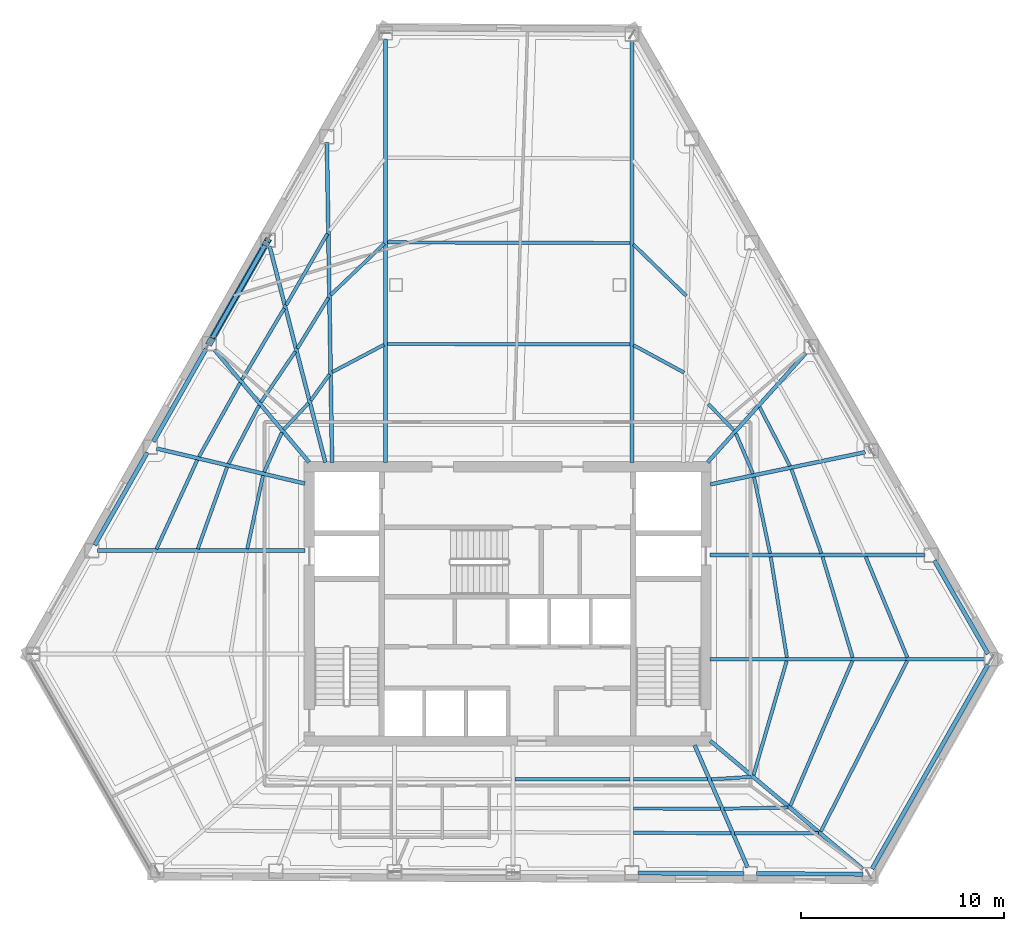
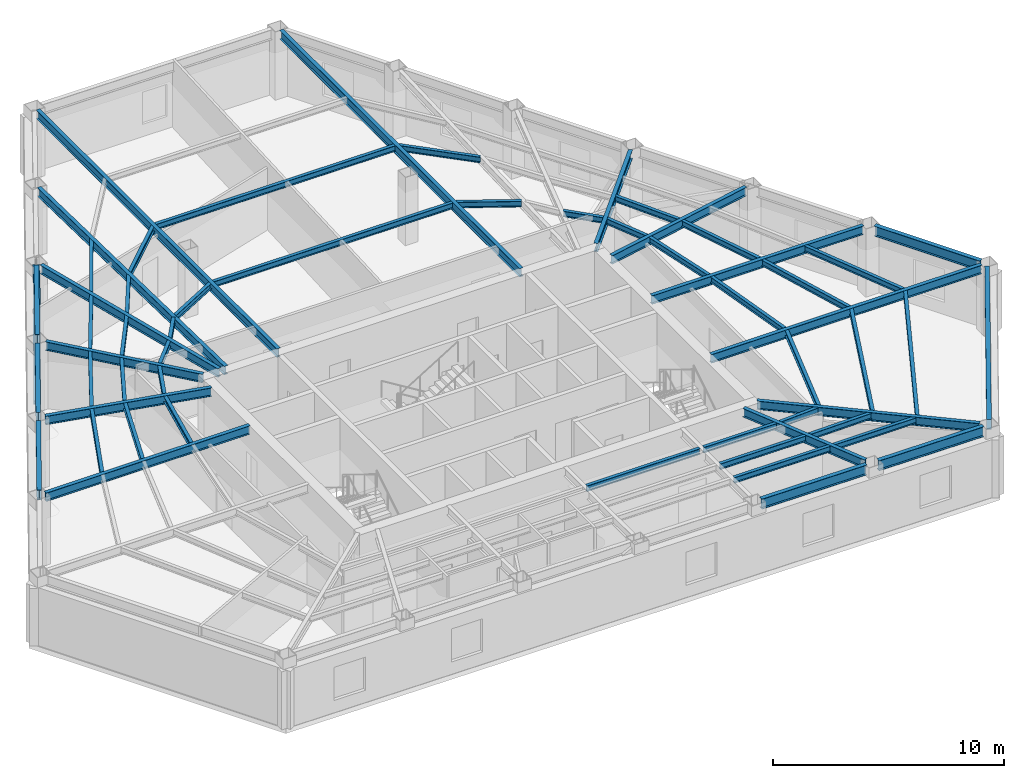
# One storey, part 3 of 13: 56 beams, 1 member.
"""IFC4 building model written with IfcOpenShell, lengths in metres."""

from ifc_helpers import new_model, si_unit, direction, frame, origin, origin_2d, place, context, subcontext, project, spatial, hollow_rectangle, i_section, extrude, material, material_profile, profile_set, type_object, element, save


model = new_model("IFC4")

# Units and contexts
model_context = context("Model", 3, precision=1e-05, world=origin(), true_north=direction((0.0, 1.0)))
body_context = subcontext(model_context, "Body", "Model", "MODEL_VIEW")
ifc_project = project(units=[si_unit("LENGTHUNIT", "METRE"), si_unit("AREAUNIT", "SQUARE_METRE"), si_unit("VOLUMEUNIT", "CUBIC_METRE"), si_unit("PLANEANGLEUNIT", "RADIAN"), si_unit("MASSUNIT", "GRAM", prefix="KILO")], contexts=[model_context])

# Site, building, storey
site_placement = place(None, origin())
site = spatial("IfcSite", under=ifc_project, at=site_placement, CompositionType="ELEMENT")
building_placement = place(site_placement, origin())
building = spatial("IfcBuilding", under=site, at=building_placement, Name="Kavelnor Concourse Tower", CompositionType="ELEMENT")
storey_placement = place(building_placement, frame((0.0, 0.0, 100.89990234375)))
storey = spatial("IfcBuildingStorey", under=building, at=storey_placement, Name="L25", CompositionType="ELEMENT", Elevation=100.89990234375)

# Beams
ifc_material = material(Name="Steel Grade 350", Category="steel")
ifc_material_profile_1 = material_profile(ifc_material, i_section(OverallWidth=0.166015625, OverallDepth=0.306884765625, WebThickness=0.006591796875, FlangeThickness=0.01171875, at=origin_2d()), Name="310UB46")
ifc_profile_set_1 = profile_set([ifc_material_profile_1], Name="Steel Grade 350")
beam_type_1 = type_object("IfcBeamType", Name="BM-JOIST-310", PredefinedType="JOIST", material=ifc_profile_set_1)
beam_1_placement = place(storey_placement, frame((38.36328125, 7.469970703125, 3.446533203125), z_axis=(0.999998925668, -0.001465831579, 0.0), x_axis=(0.001465831579, 0.999998925668, 0.0)))
element("IfcBeam", 1, at=beam_1_placement, inside=storey, type_object=beam_type_1, Name="L25 Secondary Composite Joist 05-1", PredefinedType="JOIST", context=body_context, shape_type="SweptSolid", body=[
    extrude(i_section(OverallWidth=0.166015625, OverallDepth=0.306884765625, WebThickness=0.006591796875, FlangeThickness=0.01171875, at=origin_2d()), origin(), (0.0, 0.0, 1.0), 5.662841796875),
])
beam_2_placement = place(storey_placement, frame((44.2041015625, 7.461181640625, 3.446533203125), z_axis=(0.999996770491, -0.002541457817, 0.0), x_axis=(0.002541457817, 0.999996770491, 0.0)))
element("IfcBeam", 2, at=beam_2_placement, inside=storey, type_object=beam_type_1, Name="L25 Secondary Composite Joist 06-1", PredefinedType="JOIST", context=body_context, shape_type="SweptSolid", body=[
    extrude(i_section(OverallWidth=0.166015625, OverallDepth=0.306884765625, WebThickness=0.006591796875, FlangeThickness=0.01171875, at=origin_2d()), origin(), (0.0, 0.0, 1.0), 3.650390625),
])
beam_3_placement = place(storey_placement, frame((44.2041015625, 6.0224609375, 3.446533203125), z_axis=(0.999993938815, -0.003481714056, 0.0), x_axis=(0.003481714056, 0.999993938815, 0.0)))
element("IfcBeam", 3, at=beam_3_placement, inside=storey, type_object=beam_type_1, Name="L25 Secondary Composite Joist 06-2", PredefinedType="JOIST", context=body_context, shape_type="SweptSolid", body=[
    extrude(i_section(OverallWidth=0.166015625, OverallDepth=0.306884765625, WebThickness=0.006591796875, FlangeThickness=0.01171875, at=origin_2d()), origin(), (0.0, 0.0, 1.0), 4.27734375),
])
beam_4_placement = place(storey_placement, frame((44.2041015625, 4.823486328125, 3.446533203125), z_axis=(0.999991721006, -0.004069142303, 0.0), x_axis=(0.004069142303, 0.999991721006, 0.0)))
element("IfcBeam", 4, at=beam_4_placement, inside=storey, type_object=beam_type_1, Name="L25 Secondary Composite Joist 06-3", PredefinedType="JOIST", context=body_context, shape_type="SweptSolid", body=[
    extrude(i_section(OverallWidth=0.166015625, OverallDepth=0.306884765625, WebThickness=0.006591796875, FlangeThickness=0.01171875, at=origin_2d()), origin(), (0.0, 0.0, 1.0), 4.7998046875),
])
beam_5_placement = place(storey_placement, frame((48.0322265625, 7.45703125, 3.446533203125), z_axis=(0.998104270478, 0.061545635537, 0.0), x_axis=(-0.061545635537, 0.998104270478, 0.0)))
element("IfcBeam", 5, at=beam_5_placement, inside=storey, type_object=beam_type_1, Name="L25 Secondary Composite Joist 07-1", PredefinedType="JOIST", context=body_context, shape_type="SweptSolid", body=[
    extrude(i_section(OverallWidth=0.166015625, OverallDepth=0.306884765625, WebThickness=0.006591796875, FlangeThickness=0.01171875, at=origin_2d()), origin(), (0.0, 0.0, 1.0), 1.971435546875),
])
beam_6_placement = place(storey_placement, frame((48.659423828125, 6.0087890625, 3.446533203125), z_axis=(0.999815656937, 0.019200316223, 0.0), x_axis=(-0.019200316223, 0.999815656937, 0.0)))
element("IfcBeam", 6, at=beam_6_placement, inside=storey, type_object=beam_type_1, Name="L25 Secondary Composite Joist 07-2", PredefinedType="JOIST", context=body_context, shape_type="SweptSolid", body=[
    extrude(i_section(OverallWidth=0.166015625, OverallDepth=0.306884765625, WebThickness=0.006591796875, FlangeThickness=0.01171875, at=origin_2d()), origin(), (0.0, 0.0, 1.0), 3.140625),
])
beam_7_placement = place(storey_placement, frame((49.181884765625, 4.8037109375, 3.446533203125), z_axis=(0.999998901306, 0.001482358288, 0.0), x_axis=(-0.001482358288, 0.999998901306, 0.0)))
element("IfcBeam", 7, at=beam_7_placement, inside=storey, type_object=beam_type_1, Name="L25 Secondary Composite Joist 07-3", PredefinedType="JOIST", context=body_context, shape_type="SweptSolid", body=[
    extrude(i_section(OverallWidth=0.166015625, OverallDepth=0.306884765625, WebThickness=0.006591796875, FlangeThickness=0.01171875, at=origin_2d()), origin(), (0.0, 0.0, 1.0), 4.117431640625),
])
beam_8_placement = place(storey_placement, frame((50.11376953125, 7.669189453125, 3.446533203125), z_axis=(0.278659955964, 0.960389831757, 0.0), x_axis=(-0.960389831757, 0.278659955964, 0.0)))
element("IfcBeam", 8, at=beam_8_placement, inside=storey, type_object=beam_type_1, Name="L25 Secondary Composite Joist 08-1", PredefinedType="JOIST", context=body_context, shape_type="SweptSolid", body=[
    extrude(i_section(OverallWidth=0.166015625, OverallDepth=0.306884765625, WebThickness=0.006591796875, FlangeThickness=0.01171875, at=origin_2d()), origin(), (0.0, 0.0, 1.0), 5.849853515625),
])
beam_9_placement = place(storey_placement, frame((51.923583984375, 6.152587890625, 3.446533203125), z_axis=(0.393706805824, 0.919236069271, 0.0), x_axis=(-0.919236069271, 0.393706805824, 0.0)))
element("IfcBeam", 9, at=beam_9_placement, inside=storey, type_object=beam_type_1, Name="L25 Secondary Composite Joist 08-2", PredefinedType="JOIST", context=body_context, shape_type="SweptSolid", body=[
    extrude(i_section(OverallWidth=0.166015625, OverallDepth=0.306884765625, WebThickness=0.006591796875, FlangeThickness=0.01171875, at=origin_2d()), origin(), (0.0, 0.0, 1.0), 7.765625),
])
beam_10_placement = place(storey_placement, frame((53.428466796875, 4.889404296875, 3.446533203125), z_axis=(0.451573149017, 0.892234101056, 0.0), x_axis=(-0.892234101056, 0.451573149017, 0.0)))
element("IfcBeam", 10, at=beam_10_placement, inside=storey, type_object=beam_type_1, Name="L25 Secondary Composite Joist 08-3", PredefinedType="JOIST", context=body_context, shape_type="SweptSolid", body=[
    extrude(i_section(OverallWidth=0.166015625, OverallDepth=0.306884765625, WebThickness=0.006591796875, FlangeThickness=0.01171875, at=origin_2d()), origin(), (0.0, 0.0, 1.0), 9.419189453125),
])
beam_11_placement = place(storey_placement, frame((51.75439453125, 13.460693359375, 3.446533203125), z_axis=(-0.158863640224, 0.987300533685, 0.0), x_axis=(-0.987300533685, -0.158863640224, 0.0)))
element("IfcBeam", 11, at=beam_11_placement, inside=storey, type_object=beam_type_1, Name="L25 Secondary Composite Joist 09-1", PredefinedType="JOIST", context=body_context, shape_type="SweptSolid", body=[
    extrude(i_section(OverallWidth=0.166015625, OverallDepth=0.306884765625, WebThickness=0.006591796875, FlangeThickness=0.01171875, at=origin_2d()), origin(), (0.0, 0.0, 1.0), 5.01611328125),
])
beam_12_placement = place(storey_placement, frame((54.990478515625, 13.4580078125, 3.446533203125), z_axis=(-0.286404075349, 0.958108921587, 0.0), x_axis=(-0.958108921587, -0.286404075349, 0.0)))
element("IfcBeam", 12, at=beam_12_placement, inside=storey, type_object=beam_type_1, Name="L25 Secondary Composite Joist 09-2", PredefinedType="JOIST", context=body_context, shape_type="SweptSolid", body=[
    extrude(i_section(OverallWidth=0.166015625, OverallDepth=0.306884765625, WebThickness=0.006591796875, FlangeThickness=0.01171875, at=origin_2d()), origin(), (0.0, 0.0, 1.0), 5.17431640625),
])
beam_13_placement = place(storey_placement, frame((57.68798828125, 13.455078125, 3.446533203125), z_axis=(-0.382397286143, 0.923998006248, 0.0), x_axis=(-0.923998006248, -0.382397286143, 0.0)))
element("IfcBeam", 13, at=beam_13_placement, inside=storey, type_object=beam_type_1, Name="L25 Secondary Composite Joist 09-3", PredefinedType="JOIST", context=body_context, shape_type="SweptSolid", body=[
    extrude(i_section(OverallWidth=0.166015625, OverallDepth=0.306884765625, WebThickness=0.006591796875, FlangeThickness=0.01171875, at=origin_2d()), origin(), (0.0, 0.0, 1.0), 5.371826171875),
])
beam_14_placement = place(storey_placement, frame((50.9248046875, 18.587890625, 3.446533203125), z_axis=(-0.205673405393, 0.978620687659, 0.0), x_axis=(-0.978620687659, -0.205673405393, 0.0)))
element("IfcBeam", 14, at=beam_14_placement, inside=storey, type_object=beam_type_1, Name="L25 Secondary Composite Joist 10-1", PredefinedType="JOIST", context=body_context, shape_type="SweptSolid", body=[
    extrude(i_section(OverallWidth=0.166015625, OverallDepth=0.306884765625, WebThickness=0.006591796875, FlangeThickness=0.01171875, at=origin_2d()), origin(), (0.0, 0.0, 1.0), 3.8330078125),
])
beam_15_placement = place(storey_placement, frame((53.453369140625, 18.584716796875, 3.446533203125), z_axis=(-0.335455943396, 0.942055895391, 0.0), x_axis=(-0.942055895391, -0.335455943396, 0.0)))
element("IfcBeam", 15, at=beam_15_placement, inside=storey, type_object=beam_type_1, Name="L25 Secondary Composite Joist 10-2", PredefinedType="JOIST", context=body_context, shape_type="SweptSolid", body=[
    extrude(i_section(OverallWidth=0.166015625, OverallDepth=0.306884765625, WebThickness=0.006591796875, FlangeThickness=0.01171875, at=origin_2d()), origin(), (0.0, 0.0, 1.0), 4.39208984375),
])
beam_16_placement = place(storey_placement, frame((50.08349609375, 22.5078125, 3.446533203125), z_axis=(-0.390433592157, 0.92063109339, 0.0), x_axis=(-0.92063109339, -0.390433592157, 0.0)))
element("IfcBeam", 16, at=beam_16_placement, inside=storey, type_object=beam_type_1, Name="L25 Secondary Composite Joist 11-1", PredefinedType="JOIST", context=body_context, shape_type="SweptSolid", body=[
    extrude(i_section(OverallWidth=0.166015625, OverallDepth=0.306884765625, WebThickness=0.006591796875, FlangeThickness=0.01171875, at=origin_2d()), origin(), (0.0, 0.0, 1.0), 2.1572265625),
])
beam_17_placement = place(storey_placement, frame((51.9091796875, 22.88525390625, 3.446533203125), z_axis=(-0.45948593653, 0.888185044983, 0.0), x_axis=(-0.888185044983, -0.45948593653, 0.0)))
element("IfcBeam", 17, at=beam_17_placement, inside=storey, type_object=beam_type_1, Name="L25 Secondary Composite Joist 11-2", PredefinedType="JOIST", context=body_context, shape_type="SweptSolid", body=[
    extrude(i_section(OverallWidth=0.166015625, OverallDepth=0.306884765625, WebThickness=0.006591796875, FlangeThickness=0.01171875, at=origin_2d()), origin(), (0.0, 0.0, 1.0), 3.26708984375),
])
beam_18_placement = place(storey_placement, frame((49.14453125, 24.6396484375, 3.446533203125), z_axis=(-0.695096300528, 0.718916638417, 0.0), x_axis=(-0.718916638417, -0.695096300528, 0.0)))
element("IfcBeam", 18, at=beam_18_placement, inside=storey, type_object=beam_type_1, Name="L25 Secondary Composite Joist 12-1", PredefinedType="JOIST", context=body_context, shape_type="SweptSolid", body=[
    extrude(i_section(OverallWidth=0.166015625, OverallDepth=0.306884765625, WebThickness=0.006591796875, FlangeThickness=0.01171875, at=origin_2d()), origin(), (0.0, 0.0, 1.0), 1.814208984375),
])
beam_19_placement = place(storey_placement, frame((46.69140625, 27.4853515625, 3.446533203125), z_axis=(-0.878947364691, 0.476918787744, 0.0), x_axis=(-0.476918787744, -0.878947364691, 0.0)))
element("IfcBeam", 19, at=beam_19_placement, inside=storey, type_object=beam_type_1, Name="L25 Secondary Composite Joist 14-1", PredefinedType="JOIST", context=body_context, shape_type="SweptSolid", body=[
    extrude(i_section(OverallWidth=0.166015625, OverallDepth=0.306884765625, WebThickness=0.006591796875, FlangeThickness=0.01171875, at=origin_2d()), origin(), (0.0, 0.0, 1.0), 2.8330078125),
])
beam_20_placement = place(storey_placement, frame((46.8037109375, 31.26171875, 3.446533203125), z_axis=(-0.717171401235, 0.696896822529, 0.0), x_axis=(-0.696896822529, -0.717171401235, 0.0)))
element("IfcBeam", 20, at=beam_20_placement, inside=storey, type_object=beam_type_1, Name="L25 Secondary Composite Joist 14-2", PredefinedType="JOIST", context=body_context, shape_type="SweptSolid", body=[
    extrude(i_section(OverallWidth=0.166015625, OverallDepth=0.306884765625, WebThickness=0.006591796875, FlangeThickness=0.01171875, at=origin_2d()), origin(), (0.0, 0.0, 1.0), 3.648681640625),
])
for number, where, z_axis, x_axis, name in (
    (21, (44.0341796875, 28.87890625, 3.446533203125), (-0.999998948729, 0.001450013793, 0.0), (-0.001450013793, -0.999998948729, 0.0), "L25 Secondary Composite Joist 15-1"),
    (22, (44.0341796875, 33.86669921875, 3.446533203125), (-0.999996421189, 0.002675370799, 0.0), (-0.002675370799, -0.999996421189, 0.0), "L25 Secondary Composite Joist 15-2"),
):
    element("IfcBeam", number, at=place(storey_placement, frame(where, z_axis=z_axis, x_axis=x_axis)), inside=storey, type_object=beam_type_1, Name=name, PredefinedType="JOIST", context=body_context, shape_type="SweptSolid", body=[
        extrude(i_section(OverallWidth=0.166015625, OverallDepth=0.306884765625, WebThickness=0.006591796875, FlangeThickness=0.01171875, at=origin_2d()), origin(), (0.0, 0.0, 1.0), 11.954345703125),
    ])
beam_21_placement = place(storey_placement, frame((31.912109375, 28.85498046875, 3.446533203125), z_axis=(-0.884448894536, -0.466637067703, 0.0), x_axis=(0.466637067703, -0.884448894536, 0.0)))
element("IfcBeam", 23, at=beam_21_placement, inside=storey, type_object=beam_type_1, Name="L25 Secondary Composite Joist 16-1", PredefinedType="JOIST", context=body_context, shape_type="SweptSolid", body=[
    extrude(i_section(OverallWidth=0.166015625, OverallDepth=0.306884765625, WebThickness=0.006591796875, FlangeThickness=0.01171875, at=origin_2d()), origin(), (0.0, 0.0, 1.0), 2.880126953125),
])
beam_22_placement = place(storey_placement, frame((31.926513671875, 33.83740234375, 3.446533203125), z_axis=(-0.722148165539, -0.691738409378, 0.0), x_axis=(0.691738409378, -0.722148165539, 0.0)))
element("IfcBeam", 24, at=beam_22_placement, inside=storey, type_object=beam_type_1, Name="L25 Secondary Composite Joist 16-2", PredefinedType="JOIST", context=body_context, shape_type="SweptSolid", body=[
    extrude(i_section(OverallWidth=0.166015625, OverallDepth=0.306884765625, WebThickness=0.006591796875, FlangeThickness=0.01171875, at=origin_2d()), origin(), (0.0, 0.0, 1.0), 3.65283203125),
])
beam_23_placement = place(storey_placement, frame((29.23388671875, 27.397216796875, 3.446533203125), z_axis=(-0.58433322423, -0.811513821855, 0.0), x_axis=(0.811513821855, -0.58433322423, 0.0)))
element("IfcBeam", 25, at=beam_23_placement, inside=storey, type_object=beam_type_1, Name="L25 Secondary Composite Joist 17-1", PredefinedType="JOIST", context=body_context, shape_type="SweptSolid", body=[
    extrude(i_section(OverallWidth=0.166015625, OverallDepth=0.306884765625, WebThickness=0.006591796875, FlangeThickness=0.01171875, at=origin_2d()), origin(), (0.0, 0.0, 1.0), 1.579833984375),
])
beam_24_placement = place(storey_placement, frame((29.177734375, 31.173095703125, 3.446533203125), z_axis=(-0.52281402565, -0.852446769355, 0.0), x_axis=(0.852446769355, -0.52281402565, 0.0)))
element("IfcBeam", 26, at=beam_24_placement, inside=storey, type_object=beam_type_1, Name="L25 Secondary Composite Joist 17-2", PredefinedType="JOIST", context=body_context, shape_type="SweptSolid", body=[
    extrude(i_section(OverallWidth=0.166015625, OverallDepth=0.306884765625, WebThickness=0.006591796875, FlangeThickness=0.01171875, at=origin_2d()), origin(), (0.0, 0.0, 1.0), 2.9306640625),
])
beam_25_placement = place(storey_placement, frame((29.12841796875, 34.321533203125, 3.446533203125), z_axis=(-0.500882269219, -0.865515425849, 0.0), x_axis=(0.865515425849, -0.500882269219, 0.0)))
element("IfcBeam", 27, at=beam_25_placement, inside=storey, type_object=beam_type_1, Name="L25 Secondary Composite Joist 17-3", PredefinedType="JOIST", context=body_context, shape_type="SweptSolid", body=[
    extrude(i_section(OverallWidth=0.166015625, OverallDepth=0.306884765625, WebThickness=0.006591796875, FlangeThickness=0.01171875, at=origin_2d()), origin(), (0.0, 0.0, 1.0), 4.062255859375),
])
beam_26_placement = place(storey_placement, frame((28.197998046875, 25.978271484375, 3.446533203125), z_axis=(-0.6843941142, -0.729112266012, 0.0), x_axis=(0.729112266012, -0.6843941142, 0.0)))
element("IfcBeam", 28, at=beam_26_placement, inside=storey, type_object=beam_type_1, Name="L25 Secondary Composite Joist 18-1", PredefinedType="JOIST", context=body_context, shape_type="SweptSolid", body=[
    extrude(i_section(OverallWidth=0.166015625, OverallDepth=0.306884765625, WebThickness=0.006591796875, FlangeThickness=0.01171875, at=origin_2d()), origin(), (0.0, 0.0, 1.0), 1.7744140625),
])
beam_27_placement = place(storey_placement, frame((27.54931640625, 28.525146484375, 3.446533203125), z_axis=(-0.560742779062, -0.827990057748, 0.0), x_axis=(0.827990057748, -0.560742779062, 0.0)))
element("IfcBeam", 29, at=beam_27_placement, inside=storey, type_object=beam_type_1, Name="L25 Secondary Composite Joist 18-2", PredefinedType="JOIST", context=body_context, shape_type="SweptSolid", body=[
    extrude(i_section(OverallWidth=0.166015625, OverallDepth=0.306884765625, WebThickness=0.006591796875, FlangeThickness=0.01171875, at=origin_2d()), origin(), (0.0, 0.0, 1.0), 3.02294921875),
])
beam_28_placement = place(storey_placement, frame((27.00390625, 30.652099609375, 3.446533203125), z_axis=(-0.509872719421, -0.860249853235, 0.0), x_axis=(0.860249853235, -0.509872719421, 0.0)))
element("IfcBeam", 30, at=beam_28_placement, inside=storey, type_object=beam_type_1, Name="L25 Secondary Composite Joist 18-3", PredefinedType="JOIST", context=body_context, shape_type="SweptSolid", body=[
    extrude(i_section(OverallWidth=0.166015625, OverallDepth=0.306884765625, WebThickness=0.006591796875, FlangeThickness=0.01171875, at=origin_2d()), origin(), (0.0, 0.0, 1.0), 4.091552734375),
])
beam_29_placement = place(storey_placement, frame((26.88623046875, 24.53857421875, 3.446533203125), z_axis=(-0.409448949059, -0.912333030266, 0.0), x_axis=(0.912333030266, -0.409448949059, 0.0)))
element("IfcBeam", 31, at=beam_29_placement, inside=storey, type_object=beam_type_1, Name="L25 Secondary Composite Joist 19-1", PredefinedType="JOIST", context=body_context, shape_type="SweptSolid", body=[
    extrude(i_section(OverallWidth=0.166015625, OverallDepth=0.306884765625, WebThickness=0.006591796875, FlangeThickness=0.01171875, at=origin_2d()), origin(), (0.0, 0.0, 1.0), 2.139892578125),
])
beam_30_placement = place(storey_placement, frame((25.76318359375, 25.86962890625, 3.446533203125), z_axis=(-0.463443828388, -0.886126299085, 0.0), x_axis=(0.886126299085, -0.463443828388, 0.0)))
element("IfcBeam", 32, at=beam_30_placement, inside=storey, type_object=beam_type_1, Name="L25 Secondary Composite Joist 19-2", PredefinedType="JOIST", context=body_context, shape_type="SweptSolid", body=[
    extrude(i_section(OverallWidth=0.166015625, OverallDepth=0.306884765625, WebThickness=0.006591796875, FlangeThickness=0.01171875, at=origin_2d()), origin(), (0.0, 0.0, 1.0), 3.240234375),
])
beam_31_placement = place(storey_placement, frame((24.8291015625, 26.97802734375, 3.446533203125), z_axis=(-0.48688246548, -0.873467494992, 0.0), x_axis=(0.873467494992, -0.48688246548, 0.0)))
element("IfcBeam", 33, at=beam_31_placement, inside=storey, type_object=beam_type_1, Name="L25 Secondary Composite Joist 19-3", PredefinedType="JOIST", context=body_context, shape_type="SweptSolid", body=[
    extrude(i_section(OverallWidth=0.166015625, OverallDepth=0.306884765625, WebThickness=0.006591796875, FlangeThickness=0.01171875, at=origin_2d()), origin(), (0.0, 0.0, 1.0), 4.162353515625),
])
beam_32_placement = place(storey_placement, frame((25.954833984375, 22.41796875, 3.446533203125), z_axis=(-0.209407088288, -0.977828549069, 0.0), x_axis=(0.977828549069, -0.209407088288, 0.0)))
element("IfcBeam", 34, at=beam_32_placement, inside=storey, type_object=beam_type_1, Name="L25 Secondary Composite Joist 20-1", PredefinedType="JOIST", context=body_context, shape_type="SweptSolid", body=[
    extrude(i_section(OverallWidth=0.166015625, OverallDepth=0.306884765625, WebThickness=0.006591796875, FlangeThickness=0.01171875, at=origin_2d()), origin(), (0.0, 0.0, 1.0), 3.68994140625),
])
beam_33_placement = place(storey_placement, frame((24.190185546875, 22.835693359375, 3.446533203125), z_axis=(-0.337586210639, -0.941294614022, 0.0), x_axis=(0.941294614022, -0.337586210639, 0.0)))
element("IfcBeam", 35, at=beam_33_placement, inside=storey, type_object=beam_type_1, Name="L25 Secondary Composite Joist 20-2", PredefinedType="JOIST", context=body_context, shape_type="SweptSolid", body=[
    extrude(i_section(OverallWidth=0.166015625, OverallDepth=0.306884765625, WebThickness=0.006591796875, FlangeThickness=0.01171875, at=origin_2d()), origin(), (0.0, 0.0, 1.0), 4.280517578125),
])
beam_34_placement = place(storey_placement, frame((22.721923828125, 23.18359375, 3.446533203125), z_axis=(-0.417136105689, -0.908844029155, 0.0), x_axis=(0.908844029155, -0.417136105689, 0.0)))
element("IfcBeam", 36, at=beam_34_placement, inside=storey, type_object=beam_type_1, Name="L25 Secondary Composite Joist 20-3", PredefinedType="JOIST", context=body_context, shape_type="SweptSolid", body=[
    extrude(i_section(OverallWidth=0.166015625, OverallDepth=0.306884765625, WebThickness=0.006591796875, FlangeThickness=0.01171875, at=origin_2d()), origin(), (0.0, 0.0, 1.0), 4.819091796875),
])
ifc_material_profile_2 = material_profile(ifc_material, i_section(OverallWidth=0.18994140625, OverallDepth=0.4541015625, WebThickness=0.008544921875, FlangeThickness=0.0126953125, at=origin_2d()), Name="460UB67")
ifc_profile_set_2 = profile_set([ifc_material_profile_2], Name="Steel Grade 350")
beam_type_2 = type_object("IfcBeamType", Name="BM-PRIMARY-460", PredefinedType="BEAM", material=ifc_profile_set_2)
beam_35_placement = place(storey_placement, frame((31.99072265625, 23.06005859375, 3.373046875), z_axis=(0.0, 1.0, 0.0), x_axis=(-1.0, 0.0, 0.0)))
element("IfcBeam", 37, at=beam_35_placement, inside=storey, type_object=beam_type_2, Name="L25 Primary Floor Girder F0-B0", PredefinedType="BEAM", context=body_context, shape_type="SweptSolid", body=[
    extrude(i_section(OverallWidth=0.18994140625, OverallDepth=0.4541015625, WebThickness=0.008544921875, FlangeThickness=0.0126953125, at=origin_2d()), origin(), (0.0, 0.0, 1.0), 20.84423828125),
])
beam_36_placement = place(storey_placement, frame((29.35791015625, 23.06005859375, 3.373046875), z_axis=(-0.016291400811, 0.999867286323, 0.0), x_axis=(-0.999867286323, -0.016291400811, 0.0)))
element("IfcBeam", 38, at=beam_36_placement, inside=storey, type_object=beam_type_2, Name="L25 Primary Floor Girder F0-B1", PredefinedType="BEAM", context=body_context, shape_type="SweptSolid", body=[
    extrude(i_section(OverallWidth=0.18994140625, OverallDepth=0.4541015625, WebThickness=0.008544921875, FlangeThickness=0.0126953125, at=origin_2d()), origin(), (0.0, 0.0, 1.0), 15.750244140625),
])
beam_37_placement = place(storey_placement, frame((29.028564453125, 23.061279296875, 3.373046875), z_axis=(-0.249950524872, 0.968258609627, 0.0), x_axis=(-0.968258609627, -0.249950524872, 0.0)))
element("IfcBeam", 39, at=beam_37_placement, inside=storey, type_object=beam_type_2, Name="L25 Primary Floor Girder F0-B2", PredefinedType="BEAM", context=body_context, shape_type="SweptSolid", body=[
    extrude(i_section(OverallWidth=0.18994140625, OverallDepth=0.4541015625, WebThickness=0.008544921875, FlangeThickness=0.0126953125, at=origin_2d()), origin(), (0.0, 0.0, 1.0), 10.998291015625),
])
beam_38_placement = place(storey_placement, frame((28.2275390625, 23.0693359375, 3.373046875), z_axis=(-0.643933138721, 0.765081768739, 0.0), x_axis=(-0.765081768739, -0.643933138721, 0.0)))
element("IfcBeam", 40, at=beam_38_placement, inside=storey, type_object=beam_type_2, Name="L25 Primary Floor Girder F0-B3", PredefinedType="BEAM", context=body_context, shape_type="SweptSolid", body=[
    extrude(i_section(OverallWidth=0.18994140625, OverallDepth=0.4541015625, WebThickness=0.008544921875, FlangeThickness=0.0126953125, at=origin_2d()), origin(), (0.0, 0.0, 1.0), 7.236572265625),
])
beam_39_placement = place(storey_placement, frame((28.018798828125, 22.021484375, 3.373046875), z_axis=(-0.973188054486, 0.230010892364, 0.0), x_axis=(-0.230010892364, -0.973188054486, 0.0)))
element("IfcBeam", 41, at=beam_39_placement, inside=storey, type_object=beam_type_2, Name="L25 Primary Floor Girder F0-B4", PredefinedType="BEAM", context=body_context, shape_type="SweptSolid", body=[
    extrude(i_section(OverallWidth=0.18994140625, OverallDepth=0.4541015625, WebThickness=0.008544921875, FlangeThickness=0.0126953125, at=origin_2d()), origin(), (0.0, 0.0, 1.0), 7.50634765625),
])
beam_40_placement = place(storey_placement, frame((28.02001953125, 18.72265625, 3.373046875), z_axis=(-1.0, 0.0, 0.0), x_axis=(0.0, -1.0, 0.0)))
element("IfcBeam", 42, at=beam_40_placement, inside=storey, type_object=beam_type_2, Name="L25 Primary Floor Girder F0-B5", PredefinedType="BEAM", context=body_context, shape_type="SweptSolid", body=[
    extrude(i_section(OverallWidth=0.18994140625, OverallDepth=0.4541015625, WebThickness=0.008544921875, FlangeThickness=0.0126953125, at=origin_2d()), origin(), (0.0, 0.0, 1.0), 10.201904296875),
])
beam_41_placement = place(storey_placement, frame((47.2119140625, 9.13671875, 3.373046875), z_axis=(0.398199465557, -0.917298852953, 0.0), x_axis=(0.917298852953, 0.398199465557, 0.0)))
element("IfcBeam", 43, at=beam_41_placement, inside=storey, type_object=beam_type_2, Name="L25 Primary Floor Girder F1-B5", PredefinedType="BEAM", context=body_context, shape_type="SweptSolid", body=[
    extrude(i_section(OverallWidth=0.18994140625, OverallDepth=0.4541015625, WebThickness=0.008544921875, FlangeThickness=0.0126953125, at=origin_2d()), origin(), (0.0, 0.0, 1.0), 6.560791015625),
])
beam_42_placement = place(storey_placement, frame((47.989501953125, 9.348876953125, 3.373046875), z_axis=(0.765433786045, -0.643514661201, 0.0), x_axis=(0.643514661201, 0.765433786045, 0.0)))
element("IfcBeam", 44, at=beam_42_placement, inside=storey, type_object=beam_type_2, Name="L25 Primary Floor Girder F1-B6", PredefinedType="BEAM", context=body_context, shape_type="SweptSolid", body=[
    extrude(i_section(OverallWidth=0.18994140625, OverallDepth=0.4541015625, WebThickness=0.008544921875, FlangeThickness=0.0126953125, at=origin_2d()), origin(), (0.0, 0.0, 1.0), 9.796142578125),
])
beam_43_placement = place(storey_placement, frame((47.97998046875, 13.372802734375, 3.373046875), z_axis=(1.0, 0.0, 0.0), x_axis=(0.0, 1.0, 0.0)))
element("IfcBeam", 45, at=beam_43_placement, inside=storey, type_object=beam_type_2, Name="L25 Primary Floor Girder F2-B0", PredefinedType="BEAM", context=body_context, shape_type="SweptSolid", body=[
    extrude(i_section(OverallWidth=0.18994140625, OverallDepth=0.4541015625, WebThickness=0.008544921875, FlangeThickness=0.0126953125, at=origin_2d()), origin(), (0.0, 0.0, 1.0), 13.53076171875),
])
beam_44_placement = place(storey_placement, frame((47.97998046875, 18.5009765625, 3.373046875), z_axis=(1.0, 0.0, 0.0), x_axis=(0.0, 1.0, 0.0)))
element("IfcBeam", 46, at=beam_44_placement, inside=storey, type_object=beam_type_2, Name="L25 Primary Floor Girder F2-B1", PredefinedType="BEAM", context=body_context, shape_type="SweptSolid", body=[
    extrude(i_section(OverallWidth=0.18994140625, OverallDepth=0.4541015625, WebThickness=0.008544921875, FlangeThickness=0.0126953125, at=origin_2d()), origin(), (0.0, 0.0, 1.0), 10.5830078125),
])
beam_45_placement = place(storey_placement, frame((47.980712890625, 21.982421875, 3.373046875), z_axis=(0.979136188722, 0.203205127726, 0.0), x_axis=(-0.203205127726, 0.979136188722, 0.0)))
element("IfcBeam", 47, at=beam_45_placement, inside=storey, type_object=beam_type_2, Name="L25 Primary Floor Girder F2-B2", PredefinedType="BEAM", context=body_context, shape_type="SweptSolid", body=[
    extrude(i_section(OverallWidth=0.18994140625, OverallDepth=0.4541015625, WebThickness=0.008544921875, FlangeThickness=0.0126953125, at=origin_2d()), origin(), (0.0, 0.0, 1.0), 7.796142578125),
])
beam_46_placement = place(storey_placement, frame((47.852294921875, 23.0703125, 3.373046875), z_axis=(0.668709151108, 0.743524089203, 0.0), x_axis=(-0.743524089203, 0.668709151108, 0.0)))
element("IfcBeam", 48, at=beam_46_placement, inside=storey, type_object=beam_type_2, Name="L25 Primary Floor Girder F2-B3", PredefinedType="BEAM", context=body_context, shape_type="SweptSolid", body=[
    extrude(i_section(OverallWidth=0.18994140625, OverallDepth=0.4541015625, WebThickness=0.008544921875, FlangeThickness=0.0126953125, at=origin_2d()), origin(), (0.0, 0.0, 1.0), 7.2314453125),
])
beam_47_placement = place(storey_placement, frame((44.123291015625, 23.06005859375, 3.373046875), z_axis=(0.0, 1.0, 0.0), x_axis=(-1.0, 0.0, 0.0)))
element("IfcBeam", 49, at=beam_47_placement, inside=storey, type_object=beam_type_2, Name="L25 Primary Floor Girder F2-B6", PredefinedType="BEAM", context=body_context, shape_type="SweptSolid", body=[
    extrude(i_section(OverallWidth=0.18994140625, OverallDepth=0.4541015625, WebThickness=0.008544921875, FlangeThickness=0.0126953125, at=origin_2d()), origin(), (0.0, 0.0, 1.0), 20.781494140625),
])
ifc_material_profile_3 = material_profile(ifc_material, i_section(OverallWidth=0.208984375, OverallDepth=0.532958984375, WebThickness=0.01025390625, FlangeThickness=0.015625, at=origin_2d()), Name="530UB92")
ifc_profile_set_3 = profile_set([ifc_material_profile_3], Name="Steel Grade 350")
beam_type_3 = type_object("IfcBeamType", Name="BM-SPANDREL-Z2", PredefinedType="SPANDREL", material=ifc_profile_set_3)
for number, where, z_axis, x_axis, name in (
    (50, (26.051025390625, 33.74658203125, 3.33349609375), (-0.493864017051, -0.869539149585, 0.0), (0.869539149585, -0.493864017051, 0.0), "L25 Perimeter Tube Spandrel Beam F0-B2"),
    (51, (23.156494140625, 28.650146484375, 3.33349609375), (-0.493864017051, -0.869539149585, 0.0), (0.869539149585, -0.493864017051, 0.0), "L25 Perimeter Tube Spandrel Beam F0-B3"),
):
    element("IfcBeam", number, at=place(storey_placement, frame(where, z_axis=z_axis, x_axis=x_axis)), inside=storey, type_object=beam_type_3, Name=name, PredefinedType="SPANDREL", context=body_context, shape_type="SweptSolid", body=[
        extrude(i_section(OverallWidth=0.208984375, OverallDepth=0.532958984375, WebThickness=0.01025390625, FlangeThickness=0.015625, at=origin_2d()), origin(), (0.0, 0.0, 1.0), 5.2509765625),
    ])
beam_48_placement = place(storey_placement, frame((20.261962890625, 23.553955078125, 3.33349609375), z_axis=(-0.493844051428, -0.869550488971, 0.0), x_axis=(0.869550488971, -0.493844051428, 0.0)))
element("IfcBeam", 52, at=beam_48_placement, inside=storey, type_object=beam_type_3, Name="L25 Perimeter Tube Spandrel Beam F0-B4", PredefinedType="SPANDREL", context=body_context, shape_type="SweptSolid", body=[
    extrude(i_section(OverallWidth=0.208984375, OverallDepth=0.532958984375, WebThickness=0.01025390625, FlangeThickness=0.015625, at=origin_2d()), origin(), (0.0, 0.0, 1.0), 5.251220703125),
])
for number, where, z_axis, x_axis, name in (
    (53, (44.420166015625, 2.843994140625, 3.33349609375), (0.99998658085, -0.005180552155, 0.0), (0.005180552155, 0.99998658085, 0.0), "L25 Perimeter Tube Spandrel Beam F1-B4"),
    (54, (50.26123046875, 2.813720703125, 3.33349609375), (0.99998658085, -0.005180552155, 0.0), (0.005180552155, 0.99998658085, 0.0), "L25 Perimeter Tube Spandrel Beam F1-B5"),
):
    element("IfcBeam", number, at=place(storey_placement, frame(where, z_axis=z_axis, x_axis=x_axis)), inside=storey, type_object=beam_type_3, Name=name, PredefinedType="SPANDREL", context=body_context, shape_type="SweptSolid", body=[
        extrude(i_section(OverallWidth=0.208984375, OverallDepth=0.532958984375, WebThickness=0.01025390625, FlangeThickness=0.015625, at=origin_2d()), origin(), (0.0, 0.0, 1.0), 5.23095703125),
    ])
beam_49_placement = place(storey_placement, frame((61.65869140625, 13.63720703125, 3.33349609375), z_axis=(-0.498352664623, 0.866974406579, 0.0), x_axis=(-0.866974406579, -0.498352664623, 0.0)))
element("IfcBeam", 55, at=beam_49_placement, inside=storey, type_object=beam_type_3, Name="L25 Perimeter Tube Spandrel Beam F2-B0", PredefinedType="SPANDREL", context=body_context, shape_type="SweptSolid", body=[
    extrude(i_section(OverallWidth=0.208984375, OverallDepth=0.532958984375, WebThickness=0.01025390625, FlangeThickness=0.015625, at=origin_2d()), origin(), (0.0, 0.0, 1.0), 5.30517578125),
])
beam_50_placement = place(storey_placement, frame((55.94775390625, 3.050048828125, 3.33349609375), z_axis=(0.49386869677, 0.869536491673, 0.0), x_axis=(-0.869536491673, 0.49386869677, 0.0)))
element("IfcBeam", 56, at=beam_50_placement, inside=storey, type_object=beam_type_3, Name="L25 Chamfer Facet Spandrel Beam C2", PredefinedType="SPANDREL", context=body_context, shape_type="SweptSolid", body=[
    extrude(i_section(OverallWidth=0.208984375, OverallDepth=0.532958984375, WebThickness=0.01025390625, FlangeThickness=0.015625, at=origin_2d()), origin(), (0.0, 0.0, 1.0), 11.566650390625),
])

# Member
ifc_material_profile_4 = material_profile(ifc_material, hollow_rectangle(XDim=0.320068359375, YDim=0.320068359375, WallThickness=0.01806640625, at=origin_2d()), Name="SHS 320x320x18")
ifc_profile_set_4 = profile_set([ifc_material_profile_4], Name="Steel Grade 350")
member_type = type_object("IfcMemberType", Name="MBR-TUBE-DIAG-Z2", PredefinedType="BRACE", material=ifc_profile_set_4)
member_placement = place(storey_placement, frame((23.30712890625, 28.915283203125, 0.22021484375), z_axis=(0.436146575365, 0.767928454854, 0.469107720062), x_axis=(-0.869542342274, 0.493858395689, 0.0)))
element("IfcMember", 57, at=member_placement, inside=storey, type_object=member_type, Name="L25 Framed-Tube Bracing Diagonal F0-B2", PredefinedType="BRACE", context=body_context, shape_type="SweptSolid", body=[
    extrude(hollow_rectangle(XDim=0.320068359375, YDim=0.320068359375, WallThickness=0.01806640625, at=origin_2d()), origin(), (0.0, 0.0, 1.0), 6.63671875),
])

save(model, "model.ifc")
